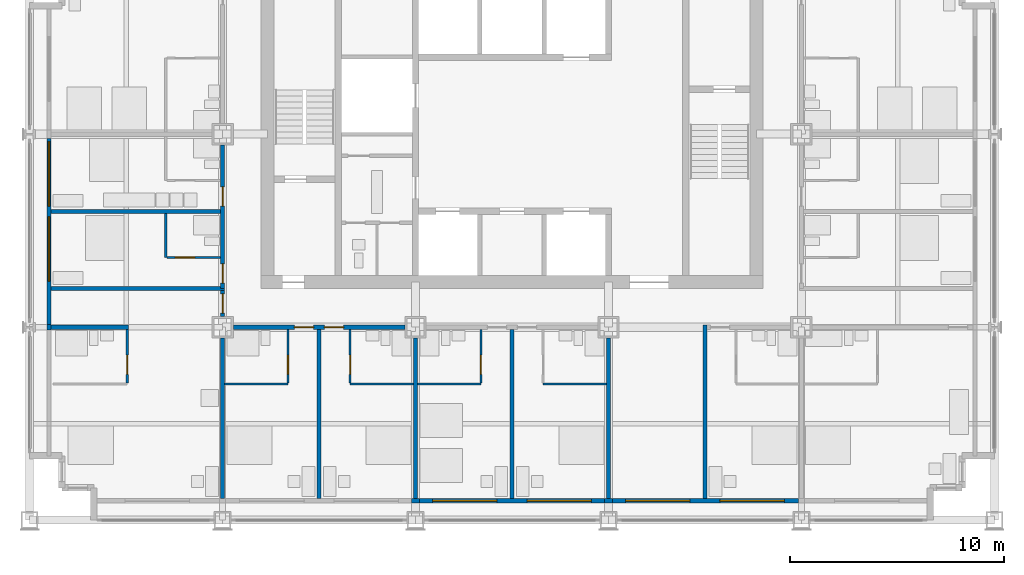
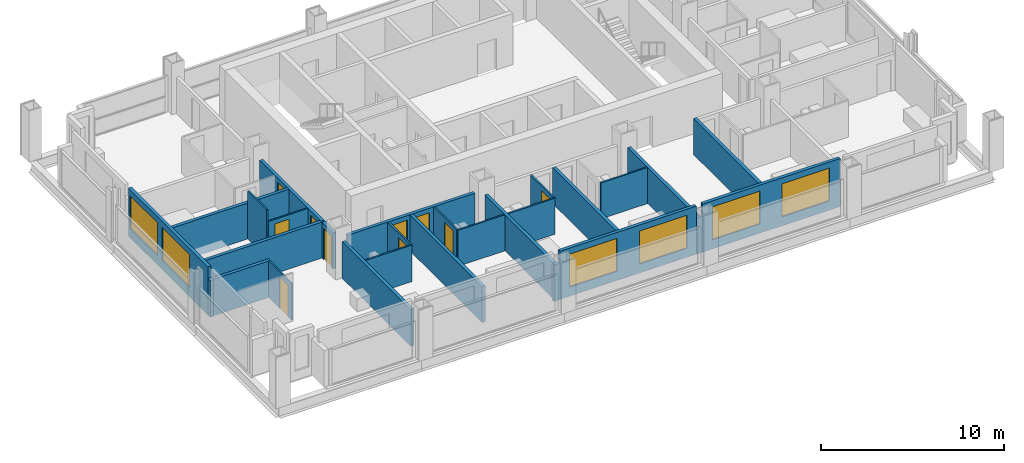
# One storey, part 7 of 13: 28 walls, 10 doors, 6 windows, 16 openings.
"""IFC4 building model written with IfcOpenShell, lengths in metres."""

from ifc_helpers import new_model, si_unit, direction, frame, frame_2d, origin, place, context, subcontext, project, spatial, rectangle, extrude, material, layer, layer_set, type_object, element, fill, save


model = new_model("IFC4")

# Units and contexts
model_context = context("Model", 3, precision=1e-05, world=origin(), true_north=direction((0.0, 1.0)))
body_context = subcontext(model_context, "Body", "Model", "MODEL_VIEW")
ifc_project = project(units=[si_unit("LENGTHUNIT", "METRE"), si_unit("AREAUNIT", "SQUARE_METRE"), si_unit("VOLUMEUNIT", "CUBIC_METRE"), si_unit("PLANEANGLEUNIT", "RADIAN"), si_unit("MASSUNIT", "GRAM", prefix="KILO")], contexts=[model_context])

# Site, building, storey
site_placement = place(None, origin())
site = spatial("IfcSite", under=ifc_project, at=site_placement, CompositionType="ELEMENT")
building_placement = place(site_placement, origin())
building = spatial("IfcBuilding", under=site, at=building_placement, Name="Loomwork Tower", CompositionType="ELEMENT")
storey_placement = place(building_placement, frame((0.0, 0.0, 163.800048828125)))
storey = spatial("IfcBuildingStorey", under=building, at=storey_placement, Name="L44", CompositionType="ELEMENT", Elevation=163.800048828125)

# Wall
ifc_material_1 = material(Name="Gypsum board on steel studs, one-hour", Category="steel")
ifc_layer_1 = layer(ifc_material_1, 0.199951171875)
ifc_layer_set_1 = layer_set([ifc_layer_1], Name="Corridor wall 200")
wall_type_1 = type_object("IfcWallType", Name="Corridor wall 200", PredefinedType="PARTITIONING", material=ifc_layer_set_1)
wall_1_placement = place(storey_placement, frame((1.0, 9.0, 0.0), z_axis=(0.0, 0.0, 1.0), x_axis=(1.0, 0.0, 0.0)))
element("IfcWall", 1, at=wall_1_placement, inside=storey, type_object=wall_type_1, Name="South corridor wall 1", PredefinedType="PARTITIONING", context=body_context, shape_type="SweptSolid", body=[
    extrude(rectangle(XDim=3.60009765625, YDim=0.199951171875, at=frame_2d((1.800048828125, 0.0))), origin(), (0.0, 0.0, 1.0), 2.43798828125),
])

# Wall, openings, doors
wall_2_placement = place(storey_placement, frame((9.5, 9.0, 0.0), z_axis=(0.0, 0.0, 1.0), x_axis=(1.0, 0.0, 0.0)))
wall_2 = element("IfcWall", 2, at=wall_2_placement, inside=storey, type_object=wall_type_1, Name="South corridor wall 2", PredefinedType="PARTITIONING", context=body_context, shape_type="SweptSolid", body=[
    extrude(rectangle(XDim=8.0, YDim=0.199951171875, at=frame_2d((4.0, 0.0))), origin(), (0.0, 0.0, 1.0), 2.405029296875),
])
opening_1_placement = place(wall_2_placement, frame((2.85009765625, 0.0, 0.0)))
opening_1 = element("IfcOpeningElement", 3, at=opening_1_placement, cuts=wall_2, Name="Opening D1", PredefinedType="OPENING", context=body_context, shape_type="SweptSolid", body=[
    extrude(rectangle(XDim=0.89990234375, YDim=2.10009765625, at=frame_2d((0.449951171875, 1.050048828125))), frame((0.0, 0.10986328125, 0.0), z_axis=(0.0, -1.0, 0.0), x_axis=(1.0, 0.0, 0.0)), (0.0, 0.0, 1.0), 0.219970703125),
])
opening_2_placement = place(wall_2_placement, frame((4.25, 0.0, 0.0)))
opening_2 = element("IfcOpeningElement", 4, at=opening_2_placement, cuts=wall_2, Name="Opening D1", PredefinedType="OPENING", context=body_context, shape_type="SweptSolid", body=[
    extrude(rectangle(XDim=0.89990234375, YDim=2.10009765625, at=frame_2d((0.449951171875, 1.050048828125))), frame((0.0, 0.10986328125, 0.0), z_axis=(0.0, -1.0, 0.0), x_axis=(1.0, 0.0, 0.0)), (0.0, 0.0, 1.0), 0.219970703125),
])
ifc_material_2 = material(Name="Hollow metal door and frame")
door_type_1 = type_object("IfcDoorType", Name="Guest room entry door 900", OperationType="SINGLE_SWING_LEFT", PredefinedType="DOOR", material=ifc_material_2)
door_1_placement = place(opening_1_placement, frame((0.89990234375, 0.0, 0.0), z_axis=(0.0, 0.0, 1.0), x_axis=(-1.0, 0.0, 0.0)))
door_1 = element("IfcDoor", 5, at=door_1_placement, inside=storey, type_object=door_type_1, Name="Guest room entry door L44 2", OperationType="SINGLE_SWING_LEFT", OverallHeight=2.10009765625, OverallWidth=0.89990234375, PredefinedType="DOOR", context=body_context, shape_type="SweptSolid", body=[
    extrude(rectangle(XDim=0.89990234375, YDim=2.10009765625, at=frame_2d((0.449951171875, 1.050048828125))), frame((0.0, 0.02490234375, 0.0), z_axis=(0.0, -1.0, 0.0), x_axis=(1.0, 0.0, 0.0)), (0.0, 0.0, 1.0), 0.050048828125),
])
fill(opening_1, door_1)
door_2_placement = place(opening_2_placement, frame((0.89990234375, 0.0, 0.0), z_axis=(0.0, 0.0, 1.0), x_axis=(-1.0, 0.0, 0.0)))
door_2 = element("IfcDoor", 6, at=door_2_placement, inside=storey, type_object=door_type_1, Name="Guest room entry door L44 3", OperationType="SINGLE_SWING_RIGHT", OverallHeight=2.10009765625, OverallWidth=0.89990234375, PredefinedType="DOOR", context=body_context, shape_type="SweptSolid", body=[
    extrude(rectangle(XDim=0.89990234375, YDim=2.10009765625, at=frame_2d((0.449951171875, 1.050048828125))), frame((0.0, 0.02490234375, 0.0), z_axis=(0.0, -1.0, 0.0), x_axis=(1.0, 0.0, 0.0)), (0.0, 0.0, 1.0), 0.050048828125),
])
fill(opening_2, door_2)

wall_3_placement = place(storey_placement, frame((9.0, 10.800048828125, 0.0), z_axis=(0.0, 0.0, 1.0), x_axis=(0.0, 1.0, 0.0)))
wall_3 = element("IfcWall", 7, at=wall_3_placement, inside=storey, type_object=wall_type_1, Name="West corridor wall 1", PredefinedType="PARTITIONING", context=body_context, shape_type="SweptSolid", body=[
    extrude(rectangle(XDim=6.699951171875, YDim=0.199951171875, at=frame_2d((3.35009765625, 0.0))), origin(), (0.0, 0.0, 1.0), 2.405029296875),
])
opening_3_placement = place(wall_3_placement, frame((0.25, 0.0, 0.0)))
opening_3 = element("IfcOpeningElement", 8, at=opening_3_placement, cuts=wall_3, Name="Opening D1", PredefinedType="OPENING", context=body_context, shape_type="SweptSolid", body=[
    extrude(rectangle(XDim=0.89990234375, YDim=2.10009765625, at=frame_2d((0.449951171875, 1.050048828125))), frame((0.0, 0.10986328125, 0.0), z_axis=(0.0, -1.0, 0.0), x_axis=(1.0, 0.0, 0.0)), (0.0, 0.0, 1.0), 0.219970703125),
])
opening_4_placement = place(wall_3_placement, frame((3.85009765625, 0.0, 0.0)))
opening_4 = element("IfcOpeningElement", 9, at=opening_4_placement, cuts=wall_3, Name="Opening D1", PredefinedType="OPENING", context=body_context, shape_type="SweptSolid", body=[
    extrude(rectangle(XDim=0.89990234375, YDim=2.10009765625, at=frame_2d((0.449951171875, 1.050048828125))), frame((0.0, 0.10986328125, 0.0), z_axis=(0.0, -1.0, 0.0), x_axis=(1.0, 0.0, 0.0)), (0.0, 0.0, 1.0), 0.219970703125),
])
door_3_placement = place(opening_3_placement, origin())
door_3 = element("IfcDoor", 10, at=door_3_placement, inside=storey, type_object=door_type_1, Name="Guest room entry door L44 8", OperationType="SINGLE_SWING_LEFT", OverallHeight=2.10009765625, OverallWidth=0.89990234375, PredefinedType="DOOR", context=body_context, shape_type="SweptSolid", body=[
    extrude(rectangle(XDim=0.89990234375, YDim=2.10009765625, at=frame_2d((0.449951171875, 1.050048828125))), frame((0.0, 0.02490234375, 0.0), z_axis=(0.0, -1.0, 0.0), x_axis=(1.0, 0.0, 0.0)), (0.0, 0.0, 1.0), 0.050048828125),
])
fill(opening_3, door_3)
door_4_placement = place(opening_4_placement, origin())
door_4 = element("IfcDoor", 11, at=door_4_placement, inside=storey, type_object=door_type_1, Name="Guest room entry door L44 9", OperationType="SINGLE_SWING_LEFT", OverallHeight=2.10009765625, OverallWidth=0.89990234375, PredefinedType="DOOR", context=body_context, shape_type="SweptSolid", body=[
    extrude(rectangle(XDim=0.89990234375, YDim=2.10009765625, at=frame_2d((0.449951171875, 1.050048828125))), frame((0.0, 0.02490234375, 0.0), z_axis=(0.0, -1.0, 0.0), x_axis=(1.0, 0.0, 0.0)), (0.0, 0.0, 1.0), 0.050048828125),
])
fill(opening_4, door_4)

# Wall
wall_4_placement = place(storey_placement, frame((1.0, 10.800048828125, 0.0), z_axis=(0.0, 0.0, 1.0), x_axis=(1.0, 0.0, 0.0)))
element("IfcWall", 12, at=wall_4_placement, inside=storey, type_object=wall_type_1, Name="West band end wall S", PredefinedType="PARTITIONING", context=body_context, shape_type="SweptSolid", body=[
    extrude(rectangle(XDim=8.10009765625, YDim=0.199951171875, at=frame_2d((4.050048828125, 0.0))), origin(), (0.0, 0.0, 1.0), 2.404052734375),
])

# Wall, opening, door
wall_5_placement = place(storey_placement, frame((9.0, 9.5, 0.0), z_axis=(0.0, 0.0, 1.0), x_axis=(0.0, 1.0, 0.0)))
wall_5 = element("IfcWall", 13, at=wall_5_placement, inside=storey, type_object=wall_type_1, Name="Corner suite foyer wall", PredefinedType="PARTITIONING", context=body_context, shape_type="SweptSolid", body=[
    extrude(rectangle(XDim=1.199951171875, YDim=0.199951171875, at=frame_2d((0.60009765625, 0.0))), origin(), (0.0, 0.0, 1.0), 2.405029296875),
])
opening_5_placement = place(wall_5_placement, frame((0.14990234375, 0.0, 0.0)))
opening_5 = element("IfcOpeningElement", 14, at=opening_5_placement, cuts=wall_5, Name="Opening D1", PredefinedType="OPENING", context=body_context, shape_type="SweptSolid", body=[
    extrude(rectangle(XDim=0.89990234375, YDim=2.10009765625, at=frame_2d((0.449951171875, 1.050048828125))), frame((0.0, 0.10986328125, 0.0), z_axis=(0.0, -1.0, 0.0), x_axis=(1.0, 0.0, 0.0)), (0.0, 0.0, 1.0), 0.219970703125),
])
door_5_placement = place(opening_5_placement, origin())
door_5 = element("IfcDoor", 15, at=door_5_placement, inside=storey, type_object=door_type_1, Name="Guest room entry door L44 1", OperationType="SINGLE_SWING_RIGHT", OverallHeight=2.10009765625, OverallWidth=0.89990234375, PredefinedType="DOOR", context=body_context, shape_type="SweptSolid", body=[
    extrude(rectangle(XDim=0.89990234375, YDim=2.10009765625, at=frame_2d((0.449951171875, 1.050048828125))), frame((0.0, 0.02490234375, 0.0), z_axis=(0.0, -1.0, 0.0), x_axis=(1.0, 0.0, 0.0)), (0.0, 0.0, 1.0), 0.050048828125),
])
fill(opening_5, door_5)

ifc_material_3 = material(Name="Cement board on steel studs", Category="steel")
ifc_layer_2 = layer(ifc_material_3, 0.10009765625)
ifc_layer_set_2 = layer_set([ifc_layer_2], Name="En-suite partition 100")
wall_type_2 = type_object("IfcWallType", Name="En-suite partition 100", PredefinedType="PARTITIONING", material=ifc_layer_set_2)
wall_6_placement = place(storey_placement, frame((4.550048828125, 8.89990234375, 0.0), z_axis=(0.0, 0.0, 1.0), x_axis=(0.0, -1.0, 0.0)))
wall_6 = element("IfcWall", 16, at=wall_6_placement, inside=storey, type_object=wall_type_2, Name="En-suite side wall L44 room 1", PredefinedType="PARTITIONING", context=body_context, shape_type="SweptSolid", body=[
    extrude(rectangle(XDim=2.5, YDim=0.10009765625, at=frame_2d((1.25, 0.0))), origin(), (0.0, 0.0, 1.0), 2.43798828125),
])
opening_6_placement = place(wall_6_placement, frame((1.199951171875, 0.0, 0.0)))
opening_6 = element("IfcOpeningElement", 17, at=opening_6_placement, cuts=wall_6, Name="Opening D3", PredefinedType="OPENING", context=body_context, shape_type="SweptSolid", body=[
    extrude(rectangle(XDim=0.89990234375, YDim=2.10009765625, at=frame_2d((0.449951171875, 1.050048828125))), frame((0.0, 0.06005859375, 0.0), z_axis=(0.0, -1.0, 0.0), x_axis=(1.0, 0.0, 0.0)), (0.0, 0.0, 1.0), 0.1201171875),
])
ifc_material_4 = material(Name="Hollow metal door and frame")
door_type_2 = type_object("IfcDoorType", Name="Accessible en-suite door 900", OperationType="SLIDING_TO_LEFT", PredefinedType="DOOR", material=ifc_material_4)
door_6_placement = place(opening_6_placement, origin())
door_6 = element("IfcDoor", 18, at=door_6_placement, inside=storey, type_object=door_type_2, Name="Accessible en-suite door room 1", OperationType="SLIDING_TO_LEFT", OverallHeight=2.10009765625, OverallWidth=0.89990234375, PredefinedType="DOOR", context=body_context, shape_type="SweptSolid", body=[
    extrude(rectangle(XDim=0.89990234375, YDim=2.10009765625, at=frame_2d((0.449951171875, 1.050048828125))), frame((0.0, 0.02490234375, 0.0), z_axis=(0.0, -1.0, 0.0), x_axis=(1.0, 0.0, 0.0)), (0.0, 0.0, 1.0), 0.050048828125),
])
fill(opening_6, door_6)

# Wall
wall_7_placement = place(storey_placement, frame((9.10009765625, 6.35009765625, 0.0), z_axis=(0.0, 0.0, 1.0), x_axis=(1.0, 0.0, 0.0)))
element("IfcWall", 19, at=wall_7_placement, inside=storey, type_object=wall_type_2, Name="En-suite wall L44 room 2", PredefinedType="PARTITIONING", context=body_context, shape_type="SweptSolid", body=[
    extrude(rectangle(XDim=2.949951171875, YDim=0.10009765625, at=frame_2d((1.47509765625, 0.0))), origin(), (0.0, 0.0, 1.0), 2.43798828125),
])

# Wall, opening, door
wall_8_placement = place(storey_placement, frame((12.050048828125, 8.89990234375, 0.0), z_axis=(0.0, 0.0, 1.0), x_axis=(0.0, -1.0, 0.0)))
wall_8 = element("IfcWall", 20, at=wall_8_placement, inside=storey, type_object=wall_type_2, Name="En-suite side wall L44 room 2", PredefinedType="PARTITIONING", context=body_context, shape_type="SweptSolid", body=[
    extrude(rectangle(XDim=2.5, YDim=0.10009765625, at=frame_2d((1.25, 0.0))), origin(), (0.0, 0.0, 1.0), 2.404052734375),
])
opening_7_placement = place(wall_8_placement, frame((1.199951171875, 0.0, 0.0)))
opening_7 = element("IfcOpeningElement", 21, at=opening_7_placement, cuts=wall_8, Name="Opening D3", PredefinedType="OPENING", context=body_context, shape_type="SweptSolid", body=[
    extrude(rectangle(XDim=0.89990234375, YDim=2.10009765625, at=frame_2d((0.449951171875, 1.050048828125))), frame((0.0, 0.06005859375, 0.0), z_axis=(0.0, -1.0, 0.0), x_axis=(1.0, 0.0, 0.0)), (0.0, 0.0, 1.0), 0.1201171875),
])
door_7_placement = place(opening_7_placement, origin())
door_7 = element("IfcDoor", 22, at=door_7_placement, inside=storey, type_object=door_type_2, Name="Accessible en-suite door room 2", OperationType="SLIDING_TO_LEFT", OverallHeight=2.10009765625, OverallWidth=0.89990234375, PredefinedType="DOOR", context=body_context, shape_type="SweptSolid", body=[
    extrude(rectangle(XDim=0.89990234375, YDim=2.10009765625, at=frame_2d((0.449951171875, 1.050048828125))), frame((0.0, 0.02490234375, 0.0), z_axis=(0.0, -1.0, 0.0), x_axis=(1.0, 0.0, 0.0)), (0.0, 0.0, 1.0), 0.050048828125),
])
fill(opening_7, door_7)

# Wall
wall_9_placement = place(storey_placement, frame((14.949951171875, 6.35009765625, 0.0), z_axis=(0.0, 0.0, 1.0), x_axis=(1.0, 0.0, 0.0)))
element("IfcWall", 23, at=wall_9_placement, inside=storey, type_object=wall_type_2, Name="En-suite wall L44 room 3", PredefinedType="PARTITIONING", context=body_context, shape_type="SweptSolid", body=[
    extrude(rectangle(XDim=2.949951171875, YDim=0.10009765625, at=frame_2d((1.47509765625, 0.0))), origin(), (0.0, 0.0, 1.0), 2.404052734375),
])

# Wall, opening, door
wall_10_placement = place(storey_placement, frame((14.949951171875, 8.89990234375, 0.0), z_axis=(0.0, 0.0, 1.0), x_axis=(0.0, -1.0, 0.0)))
wall_10 = element("IfcWall", 24, at=wall_10_placement, inside=storey, type_object=wall_type_2, Name="En-suite side wall L44 room 3", PredefinedType="PARTITIONING", context=body_context, shape_type="SweptSolid", body=[
    extrude(rectangle(XDim=2.5, YDim=0.10009765625, at=frame_2d((1.25, 0.0))), origin(), (0.0, 0.0, 1.0), 2.404052734375),
])
opening_8_placement = place(wall_10_placement, frame((1.199951171875, 0.0, 0.0)))
opening_8 = element("IfcOpeningElement", 25, at=opening_8_placement, cuts=wall_10, Name="Opening D2", PredefinedType="OPENING", context=body_context, shape_type="SweptSolid", body=[
    extrude(rectangle(XDim=0.89990234375, YDim=2.10009765625, at=frame_2d((0.449951171875, 1.050048828125))), frame((0.0, 0.06005859375, 0.0), z_axis=(0.0, -1.0, 0.0), x_axis=(1.0, 0.0, 0.0)), (0.0, 0.0, 1.0), 0.1201171875),
])
ifc_material_5 = material(Name="Hollow metal door and frame")
door_type_3 = type_object("IfcDoorType", Name="En-suite door 900", OperationType="SINGLE_SWING_LEFT", PredefinedType="DOOR", material=ifc_material_5)
door_8_placement = place(opening_8_placement, origin())
door_8 = element("IfcDoor", 26, at=door_8_placement, inside=storey, type_object=door_type_3, Name="En-suite door room 3", OperationType="SINGLE_SWING_RIGHT", OverallHeight=2.10009765625, OverallWidth=0.89990234375, PredefinedType="DOOR", context=body_context, shape_type="SweptSolid", body=[
    extrude(rectangle(XDim=0.89990234375, YDim=2.10009765625, at=frame_2d((0.449951171875, 1.050048828125))), frame((0.0, 0.02490234375, 0.0), z_axis=(0.0, -1.0, 0.0), x_axis=(1.0, 0.0, 0.0)), (0.0, 0.0, 1.0), 0.050048828125),
])
fill(opening_8, door_8)

# Wall
wall_11_placement = place(storey_placement, frame((18.10009765625, 6.35009765625, 0.0), z_axis=(0.0, 0.0, 1.0), x_axis=(1.0, 0.0, 0.0)))
element("IfcWall", 27, at=wall_11_placement, inside=storey, type_object=wall_type_2, Name="En-suite wall L44 room 4", PredefinedType="PARTITIONING", context=body_context, shape_type="SweptSolid", body=[
    extrude(rectangle(XDim=2.949951171875, YDim=0.10009765625, at=frame_2d((1.47509765625, 0.0))), origin(), (0.0, 0.0, 1.0), 2.404052734375),
])

# Wall, opening, door
wall_12_placement = place(storey_placement, frame((21.050048828125, 8.89990234375, 0.0), z_axis=(0.0, 0.0, 1.0), x_axis=(0.0, -1.0, 0.0)))
wall_12 = element("IfcWall", 28, at=wall_12_placement, inside=storey, type_object=wall_type_2, Name="En-suite side wall L44 room 4", PredefinedType="PARTITIONING", context=body_context, shape_type="SweptSolid", body=[
    extrude(rectangle(XDim=2.5, YDim=0.10009765625, at=frame_2d((1.25, 0.0))), origin(), (0.0, 0.0, 1.0), 2.404052734375),
])
opening_9_placement = place(wall_12_placement, frame((1.199951171875, 0.0, 0.0)))
opening_9 = element("IfcOpeningElement", 29, at=opening_9_placement, cuts=wall_12, Name="Opening D2", PredefinedType="OPENING", context=body_context, shape_type="SweptSolid", body=[
    extrude(rectangle(XDim=0.89990234375, YDim=2.10009765625, at=frame_2d((0.449951171875, 1.050048828125))), frame((0.0, 0.06005859375, 0.0), z_axis=(0.0, -1.0, 0.0), x_axis=(1.0, 0.0, 0.0)), (0.0, 0.0, 1.0), 0.1201171875),
])
door_9_placement = place(opening_9_placement, frame((0.89990234375, 0.0, 0.0), z_axis=(0.0, 0.0, 1.0), x_axis=(-1.0, 0.0, 0.0)))
door_9 = element("IfcDoor", 30, at=door_9_placement, inside=storey, type_object=door_type_3, Name="En-suite door room 4", OperationType="SINGLE_SWING_LEFT", OverallHeight=2.10009765625, OverallWidth=0.89990234375, PredefinedType="DOOR", context=body_context, shape_type="SweptSolid", body=[
    extrude(rectangle(XDim=0.89990234375, YDim=2.10009765625, at=frame_2d((0.449951171875, 1.050048828125))), frame((0.0, 0.02490234375, 0.0), z_axis=(0.0, -1.0, 0.0), x_axis=(1.0, 0.0, 0.0)), (0.0, 0.0, 1.0), 0.050048828125),
])
fill(opening_9, door_9)

# Walls
wall_13_placement = place(storey_placement, frame((23.949951171875, 6.35009765625, 0.0), z_axis=(0.0, 0.0, 1.0), x_axis=(1.0, 0.0, 0.0)))
element("IfcWall", 31, at=wall_13_placement, inside=storey, type_object=wall_type_2, Name="En-suite wall L44 room 5", PredefinedType="PARTITIONING", context=body_context, shape_type="SweptSolid", body=[
    extrude(rectangle(XDim=2.949951171875, YDim=0.10009765625, at=frame_2d((1.47509765625, 0.0))), origin(), (0.0, 0.0, 1.0), 2.404052734375),
])
wall_14_placement = place(storey_placement, frame((6.35009765625, 12.25, 0.0), z_axis=(0.0, 0.0, 1.0), x_axis=(0.0, 1.0, 0.0)))
element("IfcWall", 32, at=wall_14_placement, inside=storey, type_object=wall_type_2, Name="En-suite wall L44 room 8", PredefinedType="PARTITIONING", context=body_context, shape_type="SweptSolid", body=[
    extrude(rectangle(XDim=2.050048828125, YDim=0.10009765625, at=frame_2d((1.02490234375, 0.0))), origin(), (0.0, 0.0, 1.0), 3.199951171875),
])

# Wall, opening, door
wall_15_placement = place(storey_placement, frame((8.89990234375, 12.25, 0.0), z_axis=(0.0, 0.0, 1.0), x_axis=(-1.0, 0.0, 0.0)))
wall_15 = element("IfcWall", 33, at=wall_15_placement, inside=storey, type_object=wall_type_2, Name="En-suite side wall L44 room 8", PredefinedType="PARTITIONING", context=body_context, shape_type="SweptSolid", body=[
    extrude(rectangle(XDim=2.5, YDim=0.10009765625, at=frame_2d((1.25, 0.0))), origin(), (0.0, 0.0, 1.0), 2.404052734375),
])
opening_10_placement = place(wall_15_placement, frame((1.199951171875, 0.0, 0.0)))
opening_10 = element("IfcOpeningElement", 34, at=opening_10_placement, cuts=wall_15, Name="Opening D2", PredefinedType="OPENING", context=body_context, shape_type="SweptSolid", body=[
    extrude(rectangle(XDim=0.89990234375, YDim=2.10009765625, at=frame_2d((0.449951171875, 1.050048828125))), frame((0.0, 0.06005859375, 0.0), z_axis=(0.0, -1.0, 0.0), x_axis=(1.0, 0.0, 0.0)), (0.0, 0.0, 1.0), 0.1201171875),
])
door_10_placement = place(opening_10_placement, frame((0.89990234375, 0.0, 0.0), z_axis=(0.0, 0.0, 1.0), x_axis=(-1.0, 0.0, 0.0)))
door_10 = element("IfcDoor", 35, at=door_10_placement, inside=storey, type_object=door_type_3, Name="En-suite door room 8", OperationType="SINGLE_SWING_LEFT", OverallHeight=2.10009765625, OverallWidth=0.89990234375, PredefinedType="DOOR", context=body_context, shape_type="SweptSolid", body=[
    extrude(rectangle(XDim=0.89990234375, YDim=2.10009765625, at=frame_2d((0.449951171875, 1.050048828125))), frame((0.0, 0.02490234375, 0.0), z_axis=(0.0, -1.0, 0.0), x_axis=(1.0, 0.0, 0.0)), (0.0, 0.0, 1.0), 0.050048828125),
])
fill(opening_10, door_10)

# Walls
ifc_material_6 = material(Name="Gypsum board on steel studs, acoustic", Category="steel")
ifc_layer_3 = layer(ifc_material_6, 0.199951171875)
ifc_layer_set_3 = layer_set([ifc_layer_3], Name="Guest room party wall 200")
wall_type_3 = type_object("IfcWallType", Name="Guest room party wall 200", PredefinedType="PARTITIONING", material=ifc_layer_set_3)
wall_16_placement = place(storey_placement, frame((9.0, 8.5, 0.0), z_axis=(0.0, 0.0, 1.0), x_axis=(0.0, -1.0, 0.0)))
element("IfcWall", 36, at=wall_16_placement, inside=storey, type_object=wall_type_3, Name="Guest room party wall S 9", PredefinedType="PARTITIONING", context=body_context, shape_type="SweptSolid", body=[
    extrude(rectangle(XDim=7.5, YDim=0.199951171875, at=frame_2d((3.75, 0.0))), origin(), (0.0, 0.0, 1.0), 2.43798828125),
])
wall_17_placement = place(storey_placement, frame((13.5, 8.89990234375, 0.0), z_axis=(0.0, 0.0, 1.0), x_axis=(0.0, -1.0, 0.0)))
element("IfcWall", 37, at=wall_17_placement, inside=storey, type_object=wall_type_3, Name="Guest room party wall S 13.5", PredefinedType="PARTITIONING", context=body_context, shape_type="SweptSolid", body=[
    extrude(rectangle(XDim=7.89990234375, YDim=0.199951171875, at=frame_2d((3.949951171875, 0.0))), origin(), (0.0, 0.0, 1.0), 2.404052734375),
])
wall_18_placement = place(storey_placement, frame((18.0, 8.5, 0.0), z_axis=(0.0, 0.0, 1.0), x_axis=(0.0, -1.0, 0.0)))
element("IfcWall", 38, at=wall_18_placement, inside=storey, type_object=wall_type_3, Name="Guest room party wall S 18", PredefinedType="PARTITIONING", context=body_context, shape_type="SweptSolid", body=[
    extrude(rectangle(XDim=7.5, YDim=0.199951171875, at=frame_2d((3.75, 0.0))), origin(), (0.0, 0.0, 1.0), 2.405029296875),
])
wall_19_placement = place(storey_placement, frame((22.5, 8.89990234375, 0.0), z_axis=(0.0, 0.0, 1.0), x_axis=(0.0, -1.0, 0.0)))
element("IfcWall", 39, at=wall_19_placement, inside=storey, type_object=wall_type_3, Name="Guest room party wall S 22.5", PredefinedType="PARTITIONING", context=body_context, shape_type="SweptSolid", body=[
    extrude(rectangle(XDim=7.89990234375, YDim=0.199951171875, at=frame_2d((3.949951171875, 0.0))), origin(), (0.0, 0.0, 1.0), 2.404052734375),
])
wall_20_placement = place(storey_placement, frame((27.0, 8.5, 0.0), z_axis=(0.0, 0.0, 1.0), x_axis=(0.0, -1.0, 0.0)))
element("IfcWall", 40, at=wall_20_placement, inside=storey, type_object=wall_type_3, Name="Guest room party wall S 27", PredefinedType="PARTITIONING", context=body_context, shape_type="SweptSolid", body=[
    extrude(rectangle(XDim=7.5, YDim=0.199951171875, at=frame_2d((3.75, 0.0))), origin(), (0.0, 0.0, 1.0), 2.405029296875),
])
wall_21_placement = place(storey_placement, frame((31.5, 9.10009765625, 0.0), z_axis=(0.0, 0.0, 1.0), x_axis=(0.0, -1.0, 0.0)))
element("IfcWall", 41, at=wall_21_placement, inside=storey, type_object=wall_type_3, Name="Guest room party wall S 31.5", PredefinedType="PARTITIONING", context=body_context, shape_type="SweptSolid", body=[
    extrude(rectangle(XDim=8.10009765625, YDim=0.199951171875, at=frame_2d((4.050048828125, 0.0))), origin(), (0.0, 0.0, 1.0), 2.404052734375),
])
wall_22_placement = place(storey_placement, frame((8.89990234375, 14.39990234375, 0.0), z_axis=(0.0, 0.0, 1.0), x_axis=(-1.0, 0.0, 0.0)))
element("IfcWall", 42, at=wall_22_placement, inside=storey, type_object=wall_type_3, Name="Guest room party wall W 14.4", PredefinedType="PARTITIONING", context=body_context, shape_type="SweptSolid", body=[
    extrude(rectangle(XDim=7.89990234375, YDim=0.199951171875, at=frame_2d((3.949951171875, 0.0))), origin(), (0.0, 0.0, 1.0), 2.404052734375),
])
ifc_material_7 = material(Name="Insulated steel stud wall with gypsum lining", Category="steel")
ifc_layer_4 = layer(ifc_material_7, 0.199951171875)
ifc_layer_set_4 = layer_set([ifc_layer_4], Name="Inner skin wall 200")
wall_type_4 = type_object("IfcWallType", Name="Inner skin wall 200", PredefinedType="SOLIDWALL", material=ifc_layer_set_4)
wall_23_placement = place(storey_placement, frame((17.80615234375, 0.89990234375, 0.0), z_axis=(0.0, 0.0, 1.0), x_axis=(1.0, 0.0, 0.0)))
element("IfcWall", 43, at=wall_23_placement, inside=storey, type_object=wall_type_4, Name="Inner skin wall S bay 4", PredefinedType="SOLIDWALL", context=body_context, shape_type="SweptSolid", body=[
    extrude(rectangle(XDim=0.3876953125, YDim=0.199951171875, at=frame_2d((0.19384765625, 0.0))), origin(), (0.0, 0.0, 1.0), 2.404052734375),
])

# Wall, openings, windows
wall_24_placement = place(storey_placement, frame((18.19384765625, 0.89990234375, 0.0), z_axis=(0.0, 0.0, 1.0), x_axis=(1.0, 0.0, 0.0)))
wall_24 = element("IfcWall", 44, at=wall_24_placement, inside=storey, type_object=wall_type_4, Name="Inner skin wall S bay 5", PredefinedType="SOLIDWALL", context=body_context, shape_type="SweptSolid", body=[
    extrude(rectangle(XDim=8.6123046875, YDim=0.199951171875, at=frame_2d((4.30615234375, 0.0))), origin(), (0.0, 0.0, 1.0), 3.199951171875),
])
opening_11_placement = place(wall_24_placement, frame((0.606201171875, 0.0, 0.60009765625)))
opening_11 = element("IfcOpeningElement", 45, at=opening_11_placement, cuts=wall_24, Name="Opening CH1", PredefinedType="OPENING", context=body_context, shape_type="SweptSolid", body=[
    extrude(rectangle(XDim=3.0, YDim=2.199951171875, at=frame_2d((1.5, 1.10009765625))), frame((0.0, 0.10986328125, 0.0), z_axis=(0.0, -1.0, 0.0), x_axis=(1.0, 0.0, 0.0)), (0.0, 0.0, 1.0), 0.219970703125),
])
opening_12_placement = place(wall_24_placement, frame((5.006103515625, 0.0, 0.60009765625)))
opening_12 = element("IfcOpeningElement", 46, at=opening_12_placement, cuts=wall_24, Name="Opening CH1", PredefinedType="OPENING", context=body_context, shape_type="SweptSolid", body=[
    extrude(rectangle(XDim=3.0, YDim=2.199951171875, at=frame_2d((1.5, 1.10009765625))), frame((0.0, 0.10986328125, 0.0), z_axis=(0.0, -1.0, 0.0), x_axis=(1.0, 0.0, 0.0)), (0.0, 0.0, 1.0), 0.219970703125),
])
ifc_material_8 = material(Name="Aluminium frame with clear insulated glass", Category="aluminium")
window_type = type_object("IfcWindowType", Name="Chicago window 3000", PartitioningType="TRIPLE_PANEL_VERTICAL", PredefinedType="WINDOW", material=ifc_material_8)
window_1_placement = place(opening_11_placement, origin())
window_1 = element("IfcWindow", 47, at=window_1_placement, inside=storey, type_object=window_type, Name="Chicago window L44 bay 3", OverallHeight=2.199951171875, OverallWidth=3.0, PartitioningType="TRIPLE_PANEL_VERTICAL", PredefinedType="WINDOW", context=body_context, shape_type="SweptSolid", body=[
    extrude(rectangle(XDim=3.0, YDim=2.199951171875, at=frame_2d((1.5, 1.10009765625))), frame((0.0, 0.030029296875, 0.0), z_axis=(0.0, -1.0, 0.0), x_axis=(1.0, 0.0, 0.0)), (0.0, 0.0, 1.0), 0.06005859375),
])
fill(opening_11, window_1)
window_2_placement = place(opening_12_placement, origin())
window_2 = element("IfcWindow", 48, at=window_2_placement, inside=storey, type_object=window_type, Name="Chicago window L44 bay 3", OverallHeight=2.199951171875, OverallWidth=3.0, PartitioningType="TRIPLE_PANEL_VERTICAL", PredefinedType="WINDOW", context=body_context, shape_type="SweptSolid", body=[
    extrude(rectangle(XDim=3.0, YDim=2.199951171875, at=frame_2d((1.5, 1.10009765625))), frame((0.0, 0.030029296875, 0.0), z_axis=(0.0, -1.0, 0.0), x_axis=(1.0, 0.0, 0.0)), (0.0, 0.0, 1.0), 0.06005859375),
])
fill(opening_12, window_2)

# Wall
wall_25_placement = place(storey_placement, frame((26.80615234375, 0.89990234375, 0.0), z_axis=(0.0, 0.0, 1.0), x_axis=(1.0, 0.0, 0.0)))
element("IfcWall", 49, at=wall_25_placement, inside=storey, type_object=wall_type_4, Name="Inner skin wall S bay 6", PredefinedType="SOLIDWALL", context=body_context, shape_type="SweptSolid", body=[
    extrude(rectangle(XDim=0.3876953125, YDim=0.199951171875, at=frame_2d((0.19384765625, 0.0))), origin(), (0.0, 0.0, 1.0), 2.404052734375),
])

# Wall, openings, windows
wall_26_placement = place(storey_placement, frame((27.19384765625, 0.89990234375, 0.0), z_axis=(0.0, 0.0, 1.0), x_axis=(1.0, 0.0, 0.0)))
wall_26 = element("IfcWall", 50, at=wall_26_placement, inside=storey, type_object=wall_type_4, Name="Inner skin wall S bay 7", PredefinedType="SOLIDWALL", context=body_context, shape_type="SweptSolid", body=[
    extrude(rectangle(XDim=8.670654296875, YDim=0.199951171875, at=frame_2d((4.33544921875, 0.0))), origin(), (0.0, 0.0, 1.0), 3.199951171875),
])
opening_13_placement = place(wall_26_placement, frame((0.606201171875, 0.0, 0.60009765625)))
opening_13 = element("IfcOpeningElement", 51, at=opening_13_placement, cuts=wall_26, Name="Opening CH1", PredefinedType="OPENING", context=body_context, shape_type="SweptSolid", body=[
    extrude(rectangle(XDim=3.0, YDim=2.199951171875, at=frame_2d((1.5, 1.10009765625))), frame((0.0, 0.10986328125, 0.0), z_axis=(0.0, -1.0, 0.0), x_axis=(1.0, 0.0, 0.0)), (0.0, 0.0, 1.0), 0.219970703125),
])
opening_14_placement = place(wall_26_placement, frame((5.006103515625, 0.0, 0.60009765625)))
opening_14 = element("IfcOpeningElement", 52, at=opening_14_placement, cuts=wall_26, Name="Opening CH1", PredefinedType="OPENING", context=body_context, shape_type="SweptSolid", body=[
    extrude(rectangle(XDim=3.0, YDim=2.199951171875, at=frame_2d((1.5, 1.10009765625))), frame((0.0, 0.10986328125, 0.0), z_axis=(0.0, -1.0, 0.0), x_axis=(1.0, 0.0, 0.0)), (0.0, 0.0, 1.0), 0.219970703125),
])
window_3_placement = place(opening_13_placement, origin())
window_3 = element("IfcWindow", 53, at=window_3_placement, inside=storey, type_object=window_type, Name="Chicago window L44 bay 4", OverallHeight=2.199951171875, OverallWidth=3.0, PartitioningType="TRIPLE_PANEL_VERTICAL", PredefinedType="WINDOW", context=body_context, shape_type="SweptSolid", body=[
    extrude(rectangle(XDim=3.0, YDim=2.199951171875, at=frame_2d((1.5, 1.10009765625))), frame((0.0, 0.030029296875, 0.0), z_axis=(0.0, -1.0, 0.0), x_axis=(1.0, 0.0, 0.0)), (0.0, 0.0, 1.0), 0.06005859375),
])
fill(opening_13, window_3)
window_4_placement = place(opening_14_placement, origin())
window_4 = element("IfcWindow", 54, at=window_4_placement, inside=storey, type_object=window_type, Name="Chicago window L44 bay 4", OverallHeight=2.199951171875, OverallWidth=3.0, PartitioningType="TRIPLE_PANEL_VERTICAL", PredefinedType="WINDOW", context=body_context, shape_type="SweptSolid", body=[
    extrude(rectangle(XDim=3.0, YDim=2.199951171875, at=frame_2d((1.5, 1.10009765625))), frame((0.0, 0.030029296875, 0.0), z_axis=(0.0, -1.0, 0.0), x_axis=(1.0, 0.0, 0.0)), (0.0, 0.0, 1.0), 0.06005859375),
])
fill(opening_14, window_4)

# Wall
wall_27_placement = place(storey_placement, frame((0.89990234375, 8.86474609375, 0.0), z_axis=(0.0, 0.0, 1.0), x_axis=(0.0, 1.0, 0.0)))
element("IfcWall", 55, at=wall_27_placement, inside=storey, type_object=wall_type_4, Name="Inner skin wall W bay 4", PredefinedType="SOLIDWALL", context=body_context, shape_type="SweptSolid", body=[
    extrude(rectangle(XDim=0.2705078125, YDim=0.199951171875, at=frame_2d((0.13525390625, 0.0))), origin(), (0.0, 0.0, 1.0), 2.43798828125),
])

# Wall, openings, windows
wall_28_placement = place(storey_placement, frame((0.89990234375, 9.13525390625, 0.0), z_axis=(0.0, 0.0, 1.0), x_axis=(0.0, 1.0, 0.0)))
wall_28 = element("IfcWall", 56, at=wall_28_placement, inside=storey, type_object=wall_type_4, Name="Inner skin wall W bay 5", PredefinedType="SOLIDWALL", context=body_context, shape_type="SweptSolid", body=[
    extrude(rectangle(XDim=8.6708984375, YDim=0.199951171875, at=frame_2d((4.33544921875, 0.0))), origin(), (0.0, 0.0, 1.0), 3.199951171875),
])
opening_15_placement = place(wall_28_placement, frame((2.0146484375, 0.0, 0.60009765625)))
opening_15 = element("IfcOpeningElement", 57, at=opening_15_placement, cuts=wall_28, Name="Opening CH1", PredefinedType="OPENING", context=body_context, shape_type="SweptSolid", body=[
    extrude(rectangle(XDim=3.0, YDim=2.199951171875, at=frame_2d((1.5, 1.10009765625))), frame((0.0, 0.10986328125, 0.0), z_axis=(0.0, -1.0, 0.0), x_axis=(1.0, 0.0, 0.0)), (0.0, 0.0, 1.0), 0.219970703125),
])
opening_16_placement = place(wall_28_placement, frame((5.5146484375, 0.0, 0.60009765625)))
opening_16 = element("IfcOpeningElement", 58, at=opening_16_placement, cuts=wall_28, Name="Opening CH1", PredefinedType="OPENING", context=body_context, shape_type="SweptSolid", body=[
    extrude(rectangle(XDim=3.0, YDim=2.199951171875, at=frame_2d((1.5, 1.10009765625))), frame((0.0, 0.10986328125, 0.0), z_axis=(0.0, -1.0, 0.0), x_axis=(1.0, 0.0, 0.0)), (0.0, 0.0, 1.0), 0.219970703125),
])
window_5_placement = place(opening_15_placement, origin())
window_5 = element("IfcWindow", 59, at=window_5_placement, inside=storey, type_object=window_type, Name="Chicago window L44 bay 6", OverallHeight=2.199951171875, OverallWidth=3.0, PartitioningType="TRIPLE_PANEL_VERTICAL", PredefinedType="WINDOW", context=body_context, shape_type="SweptSolid", body=[
    extrude(rectangle(XDim=3.0, YDim=2.199951171875, at=frame_2d((1.5, 1.10009765625))), frame((0.0, 0.030029296875, 0.0), z_axis=(0.0, -1.0, 0.0), x_axis=(1.0, 0.0, 0.0)), (0.0, 0.0, 1.0), 0.06005859375),
])
fill(opening_15, window_5)
window_6_placement = place(opening_16_placement, origin())
window_6 = element("IfcWindow", 60, at=window_6_placement, inside=storey, type_object=window_type, Name="Chicago window L44 bay 6", OverallHeight=2.199951171875, OverallWidth=3.0, PartitioningType="TRIPLE_PANEL_VERTICAL", PredefinedType="WINDOW", context=body_context, shape_type="SweptSolid", body=[
    extrude(rectangle(XDim=3.0, YDim=2.199951171875, at=frame_2d((1.5, 1.10009765625))), frame((0.0, 0.030029296875, 0.0), z_axis=(0.0, -1.0, 0.0), x_axis=(1.0, 0.0, 0.0)), (0.0, 0.0, 1.0), 0.06005859375),
])
fill(opening_16, window_6)

save(model, "model.ifc")
